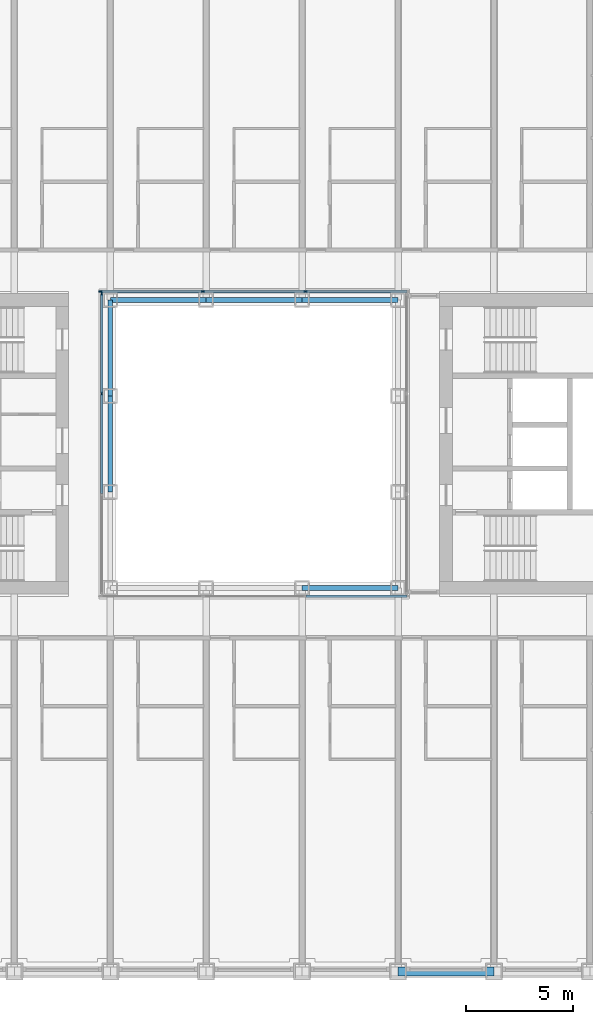
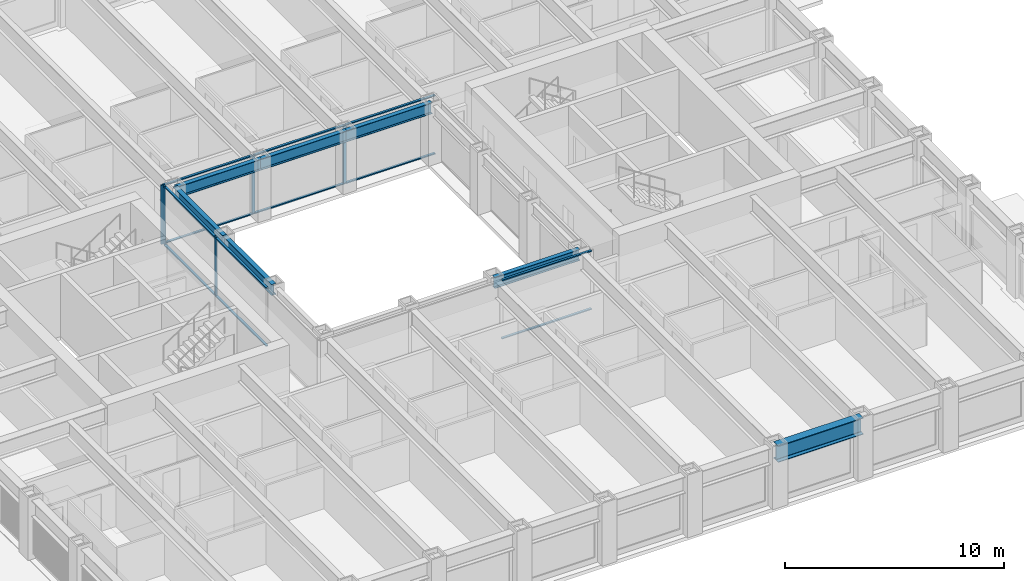
# One storey, part 4 of 24: 17 members, 7 beams, 3 elements without a shape of their own.
"""IFC4 building model written with IfcOpenShell, lengths in metres."""

from ifc_helpers import new_model, si_unit, direction, frame, origin, origin_2d, place, context, subcontext, project, spatial, rectangle, i_section, extrude, material, material_profile, profile_set, type_object, element, aggregate, save


model = new_model("IFC4")

# Units and contexts
model_context = context("Model", 3, precision=1e-05, world=origin(), true_north=direction((0.0, 1.0)))
body_context = subcontext(model_context, "Body", "Model", "MODEL_VIEW")
ifc_project = project(units=[si_unit("LENGTHUNIT", "METRE"), si_unit("AREAUNIT", "SQUARE_METRE"), si_unit("VOLUMEUNIT", "CUBIC_METRE"), si_unit("PLANEANGLEUNIT", "RADIAN"), si_unit("MASSUNIT", "GRAM", prefix="KILO")], contexts=[model_context])

# Site, building, storey
site_placement = place(None, origin())
site = spatial("IfcSite", under=ifc_project, at=site_placement, CompositionType="ELEMENT")
building_placement = place(site_placement, origin())
building = spatial("IfcBuilding", under=site, at=building_placement, Name="Msasa Ring Tower", CompositionType="ELEMENT")
storey_placement = place(building_placement, frame((0.0, 0.0, 26.5)))
storey = spatial("IfcBuildingStorey", under=building, at=storey_placement, Name="L05", CompositionType="ELEMENT", Elevation=26.5)

# Curtain wall, members
ifc_material_1 = material(Name="Aluminium curtain wall with clear glass", Category="aluminium")
curtain_wall_type = type_object("IfcCurtainWallType", Name="CW-W LIGHT WELL CURTAIN WALL", PredefinedType="NOTDEFINED", material=ifc_material_1)
curtain_wall_1_placement = place(storey_placement, origin())
curtain_wall_1 = element("IfcCurtainWall", 1, at=curtain_wall_1_placement, inside=storey, type_object=curtain_wall_type, Name="Light well curtain wall N L05", PredefinedType="NOTDEFINED")
ifc_material_2 = material(Name="Aluminium mullion", Category="aluminium")
ifc_material_profile_1 = material_profile(ifc_material_2, rectangle(XDim=0.06005859375, YDim=0.159912109375, at=origin_2d()), Name="AL 60x160")
ifc_profile_set_1 = profile_set([ifc_material_profile_1], Name="Aluminium mullion")
member_type_1 = type_object("IfcMemberType", Name="CW-W MULLION 60x160", PredefinedType="MULLION", material=ifc_profile_set_1)
member_1_placement = place(storey_placement, frame((-7.199951171875, 7.14990234375, 0.0), z_axis=(0.0, 0.0, 1.0), x_axis=(0.0, 1.0, 0.0)))
member_1 = element("IfcMember", 2, at=member_1_placement, type_object=member_type_1, Name="CW-W mullion 1", PredefinedType="MULLION", context=body_context, shape_type="SweptSolid", body=[
    extrude(rectangle(XDim=0.06005859375, YDim=0.159912109375, at=origin_2d()), origin(), (0.0, 0.0, 1.0), 3.300048828125),
])
member_2_placement = place(storey_placement, frame((-2.409912109375, 7.14990234375, 0.0), z_axis=(0.0, 0.0, 1.0), x_axis=(0.0, 1.0, 0.0)))
member_2 = element("IfcMember", 3, at=member_2_placement, type_object=member_type_1, Name="CW-W mullion 2", PredefinedType="MULLION", context=body_context, shape_type="SweptSolid", body=[
    extrude(rectangle(XDim=0.06005859375, YDim=0.159912109375, at=origin_2d()), origin(), (0.0, 0.0, 1.0), 3.300048828125),
])
member_3_placement = place(storey_placement, frame((2.409912109375, 7.14990234375, 0.0), z_axis=(0.0, 0.0, 1.0), x_axis=(0.0, 1.0, 0.0)))
member_3 = element("IfcMember", 4, at=member_3_placement, type_object=member_type_1, Name="CW-W mullion 3", PredefinedType="MULLION", context=body_context, shape_type="SweptSolid", body=[
    extrude(rectangle(XDim=0.06005859375, YDim=0.159912109375, at=origin_2d()), origin(), (0.0, 0.0, 1.0), 3.300048828125),
])

curtain_wall_2_placement = place(storey_placement, origin())
curtain_wall_2 = element("IfcCurtainWall", 5, at=curtain_wall_2_placement, inside=storey, type_object=curtain_wall_type, Name="Light well curtain wall W L05", PredefinedType="NOTDEFINED")
member_4_placement = place(storey_placement, frame((-7.14990234375, 2.356689453125, 0.0), z_axis=(0.0, 0.0, 1.0), x_axis=(-1.0, 0.0, 0.0)))
member_4 = element("IfcMember", 6, at=member_4_placement, type_object=member_type_1, Name="CW-W mullion 3", PredefinedType="MULLION", context=body_context, shape_type="SweptSolid", body=[
    extrude(rectangle(XDim=0.06005859375, YDim=0.159912109375, at=origin_2d()), origin(), (0.0, 0.0, 1.0), 3.300048828125),
])
member_5_placement = place(storey_placement, frame((-7.14990234375, 7.0400390625, 0.0), z_axis=(0.0, 0.0, 1.0), x_axis=(-1.0, 0.0, 0.0)))
member_5 = element("IfcMember", 7, at=member_5_placement, type_object=member_type_1, Name="CW-W mullion 4", PredefinedType="MULLION", context=body_context, shape_type="SweptSolid", body=[
    extrude(rectangle(XDim=0.06005859375, YDim=0.159912109375, at=origin_2d()), origin(), (0.0, 0.0, 1.0), 3.300048828125),
])

# Member
ifc_material_3 = material(Name="Aluminium transom", Category="aluminium")
ifc_material_profile_2 = material_profile(ifc_material_3, rectangle(XDim=0.1201171875, YDim=0.06005859375, at=origin_2d()), Name="AL 60x120")
ifc_profile_set_2 = profile_set([ifc_material_profile_2], Name="Aluminium transom")
member_type_2 = type_object("IfcMemberType", Name="CW-W TRANSOM 60x120", PredefinedType="USERDEFINED", material=ifc_profile_set_2)
member_6_placement = place(storey_placement, frame((-7.169921875, 7.14990234375, 0.030029296875), z_axis=(1.0, 0.0, 0.0), x_axis=(0.0, 1.0, 0.0)))
member_6 = element("IfcMember", 8, at=member_6_placement, type_object=member_type_2, Name="CW-W transom 1.1", ObjectType="TRANSOM", PredefinedType="USERDEFINED", context=body_context, shape_type="SweptSolid", body=[
    extrude(rectangle(XDim=0.1201171875, YDim=0.06005859375, at=origin_2d()), origin(), (0.0, 0.0, 1.0), 4.72998046875),
])

member_7_placement = place(storey_placement, frame((-7.169921875, 7.14990234375, 3.27001953125), z_axis=(1.0, 0.0, 0.0), x_axis=(0.0, 1.0, 0.0)))
member_7 = element("IfcMember", 9, at=member_7_placement, type_object=member_type_2, Name="CW-W transom 1.2", ObjectType="TRANSOM", PredefinedType="USERDEFINED", context=body_context, shape_type="SweptSolid", body=[
    extrude(rectangle(XDim=0.1201171875, YDim=0.06005859375, at=origin_2d()), origin(), (0.0, 0.0, 1.0), 4.72998046875),
])

member_8_placement = place(storey_placement, frame((-2.3798828125, 7.14990234375, 0.030029296875), z_axis=(1.0, 0.0, 0.0), x_axis=(0.0, 1.0, 0.0)))
member_8 = element("IfcMember", 10, at=member_8_placement, type_object=member_type_2, Name="CW-W transom 2.1", ObjectType="TRANSOM", PredefinedType="USERDEFINED", context=body_context, shape_type="SweptSolid", body=[
    extrude(rectangle(XDim=0.1201171875, YDim=0.06005859375, at=origin_2d()), origin(), (0.0, 0.0, 1.0), 4.759765625),
])

member_9_placement = place(storey_placement, frame((-2.3798828125, 7.14990234375, 3.27001953125), z_axis=(1.0, 0.0, 0.0), x_axis=(0.0, 1.0, 0.0)))
member_9 = element("IfcMember", 11, at=member_9_placement, type_object=member_type_2, Name="CW-W transom 2.2", ObjectType="TRANSOM", PredefinedType="USERDEFINED", context=body_context, shape_type="SweptSolid", body=[
    extrude(rectangle(XDim=0.1201171875, YDim=0.06005859375, at=origin_2d()), origin(), (0.0, 0.0, 1.0), 4.759765625),
])

member_10_placement = place(storey_placement, frame((2.43994140625, 7.14990234375, 0.030029296875), z_axis=(1.0, 0.0, 0.0), x_axis=(0.0, 1.0, 0.0)))
member_10 = element("IfcMember", 12, at=member_10_placement, type_object=member_type_2, Name="CW-W transom 3.1", ObjectType="TRANSOM", PredefinedType="USERDEFINED", context=body_context, shape_type="SweptSolid", body=[
    extrude(rectangle(XDim=0.1201171875, YDim=0.06005859375, at=origin_2d()), origin(), (0.0, 0.0, 1.0), 4.72998046875),
])

member_11_placement = place(storey_placement, frame((2.43994140625, 7.14990234375, 3.27001953125), z_axis=(1.0, 0.0, 0.0), x_axis=(0.0, 1.0, 0.0)))
member_11 = element("IfcMember", 13, at=member_11_placement, type_object=member_type_2, Name="CW-W transom 3.2", ObjectType="TRANSOM", PredefinedType="USERDEFINED", context=body_context, shape_type="SweptSolid", body=[
    extrude(rectangle(XDim=0.1201171875, YDim=0.06005859375, at=origin_2d()), origin(), (0.0, 0.0, 1.0), 4.72998046875),
])

aggregate(curtain_wall_1, [member_1, member_2, member_3, member_6, member_7, member_8, member_9, member_10, member_11])

# Curtain wall, members
curtain_wall_3_placement = place(storey_placement, origin())
curtain_wall_3 = element("IfcCurtainWall", 14, at=curtain_wall_3_placement, inside=storey, type_object=curtain_wall_type, Name="Light well curtain wall S L05", PredefinedType="NOTDEFINED")
member_12_placement = place(storey_placement, frame((2.43994140625, -7.14990234375, 0.030029296875), z_axis=(1.0, 0.0, 0.0), x_axis=(0.0, 1.0, 0.0)))
member_12 = element("IfcMember", 15, at=member_12_placement, type_object=member_type_2, Name="CW-W transom 3.1", ObjectType="TRANSOM", PredefinedType="USERDEFINED", context=body_context, shape_type="SweptSolid", body=[
    extrude(rectangle(XDim=0.1201171875, YDim=0.06005859375, at=origin_2d()), origin(), (0.0, 0.0, 1.0), 4.72998046875),
])
member_13_placement = place(storey_placement, frame((2.43994140625, -7.14990234375, 3.27001953125), z_axis=(1.0, 0.0, 0.0), x_axis=(0.0, 1.0, 0.0)))
member_13 = element("IfcMember", 16, at=member_13_placement, type_object=member_type_2, Name="CW-W transom 3.2", ObjectType="TRANSOM", PredefinedType="USERDEFINED", context=body_context, shape_type="SweptSolid", body=[
    extrude(rectangle(XDim=0.1201171875, YDim=0.06005859375, at=origin_2d()), origin(), (0.0, 0.0, 1.0), 4.72998046875),
])
aggregate(curtain_wall_3, [member_12, member_13])

# Member
member_14_placement = place(storey_placement, frame((-7.14990234375, -2.32666015625, 0.030029296875), z_axis=(0.0, 1.0, 0.0), x_axis=(-1.0, 0.0, 0.0)))
member_14 = element("IfcMember", 17, at=member_14_placement, type_object=member_type_2, Name="CW-W transom 2.1", ObjectType="TRANSOM", PredefinedType="USERDEFINED", context=body_context, shape_type="SweptSolid", body=[
    extrude(rectangle(XDim=0.1201171875, YDim=0.06005859375, at=origin_2d()), origin(), (0.0, 0.0, 1.0), 4.6533203125),
])

member_15_placement = place(storey_placement, frame((-7.14990234375, -2.32666015625, 3.27001953125), z_axis=(0.0, 1.0, 0.0), x_axis=(-1.0, 0.0, 0.0)))
member_15 = element("IfcMember", 18, at=member_15_placement, type_object=member_type_2, Name="CW-W transom 2.2", ObjectType="TRANSOM", PredefinedType="USERDEFINED", context=body_context, shape_type="SweptSolid", body=[
    extrude(rectangle(XDim=0.1201171875, YDim=0.06005859375, at=origin_2d()), origin(), (0.0, 0.0, 1.0), 4.6533203125),
])

member_16_placement = place(storey_placement, frame((-7.14990234375, 2.38671875, 0.030029296875), z_axis=(0.0, 1.0, 0.0), x_axis=(-1.0, 0.0, 0.0)))
member_16 = element("IfcMember", 19, at=member_16_placement, type_object=member_type_2, Name="CW-W transom 3.1", ObjectType="TRANSOM", PredefinedType="USERDEFINED", context=body_context, shape_type="SweptSolid", body=[
    extrude(rectangle(XDim=0.1201171875, YDim=0.06005859375, at=origin_2d()), origin(), (0.0, 0.0, 1.0), 4.623291015625),
])

member_17_placement = place(storey_placement, frame((-7.14990234375, 2.38671875, 3.27001953125), z_axis=(0.0, 1.0, 0.0), x_axis=(-1.0, 0.0, 0.0)))
member_17 = element("IfcMember", 20, at=member_17_placement, type_object=member_type_2, Name="CW-W transom 3.2", ObjectType="TRANSOM", PredefinedType="USERDEFINED", context=body_context, shape_type="SweptSolid", body=[
    extrude(rectangle(XDim=0.1201171875, YDim=0.06005859375, at=origin_2d()), origin(), (0.0, 0.0, 1.0), 4.623291015625),
])

aggregate(curtain_wall_2, [member_4, member_5, member_14, member_15, member_16, member_17])

# Beams
ifc_material_4 = material(Name="Steel S355", Category="steel")
ifc_material_profile_3 = material_profile(ifc_material_4, i_section(OverallWidth=0.230224609375, OverallDepth=0.6171875, WebThickness=0.01318359375, FlangeThickness=0.022216796875, FilletRadius=0.0126953125, at=origin_2d()), Name="UB 610x229x140")
ifc_profile_set_3 = profile_set([ifc_material_profile_3], Name="Steel S355")
beam_type_1 = type_object("IfcBeamType", Name="RB1 UB 610x229x140", PredefinedType="BEAM", material=ifc_profile_set_3)
for number, where, z_axis, x_axis, name in (
    (21, (2.25, -6.75, 2.991455078125), (1.0, 0.0, 0.0), (0.0, 1.0, 0.0), "Inner ring beam IR+2.25-6.75 under L06"),
    (22, (6.75, 6.75, 2.991455078125), (-1.0, 0.0, 0.0), (0.0, -1.0, 0.0), "Inner ring beam IR+6.75+6.75 under L06"),
    (23, (2.25, 6.75, 2.991455078125), (-1.0, 0.0, 0.0), (0.0, -1.0, 0.0), "Inner ring beam IR+2.25+6.75 under L06"),
    (24, (-2.25, 6.75, 2.991455078125), (-1.0, 0.0, 0.0), (0.0, -1.0, 0.0), "Inner ring beam IR-2.25+6.75 under L06"),
    (25, (-6.75, 6.75, 2.991455078125), (0.0, -1.0, 0.0), (1.0, 0.0, 0.0), "Inner ring beam IR-6.75+6.75 under L06"),
    (26, (-6.75, 2.25, 2.991455078125), (0.0, -1.0, 0.0), (1.0, 0.0, 0.0), "Inner ring beam IR-6.75+2.25 under L06"),
):
    element("IfcBeam", number, at=place(storey_placement, frame(where, z_axis=z_axis, x_axis=x_axis)), inside=storey, type_object=beam_type_1, Name=name, PredefinedType="BEAM", context=body_context, shape_type="SweptSolid", body=[
        extrude(i_section(OverallWidth=0.230224609375, OverallDepth=0.6171875, WebThickness=0.01318359375, FlangeThickness=0.022216796875, FilletRadius=0.0126953125, at=origin_2d()), origin(), (0.0, 0.0, 1.0), 4.5),
    ])
ifc_material_5 = material(Name="Steel S355", Category="steel")
ifc_material_profile_4 = material_profile(ifc_material_5, i_section(OverallWidth=0.42041015625, OverallDepth=0.9208984375, WebThickness=0.021484375, FlangeThickness=0.03662109375, FilletRadius=0.024169921875, at=origin_2d()), Name="UB 914x419x388")
ifc_profile_set_4 = profile_set([ifc_material_profile_4], Name="Steel S355")
beam_type_2 = type_object("IfcBeamType", Name="SB1 UB 914x419x388", PredefinedType="SPANDREL", material=ifc_profile_set_4)
beam_placement = place(storey_placement, frame((6.75, -24.75, 2.839599609375), z_axis=(1.0, 0.0, 0.0), x_axis=(0.0, 1.0, 0.0)))
element("IfcBeam", 27, at=beam_placement, inside=storey, type_object=beam_type_2, Name="Spandrel S+6.75 to S+11.25 under L06", PredefinedType="SPANDREL", context=body_context, shape_type="SweptSolid", body=[
    extrude(i_section(OverallWidth=0.42041015625, OverallDepth=0.9208984375, WebThickness=0.021484375, FlangeThickness=0.03662109375, FilletRadius=0.024169921875, at=origin_2d()), origin(), (0.0, 0.0, 1.0), 4.5),
])

save(model, "model.ifc")
